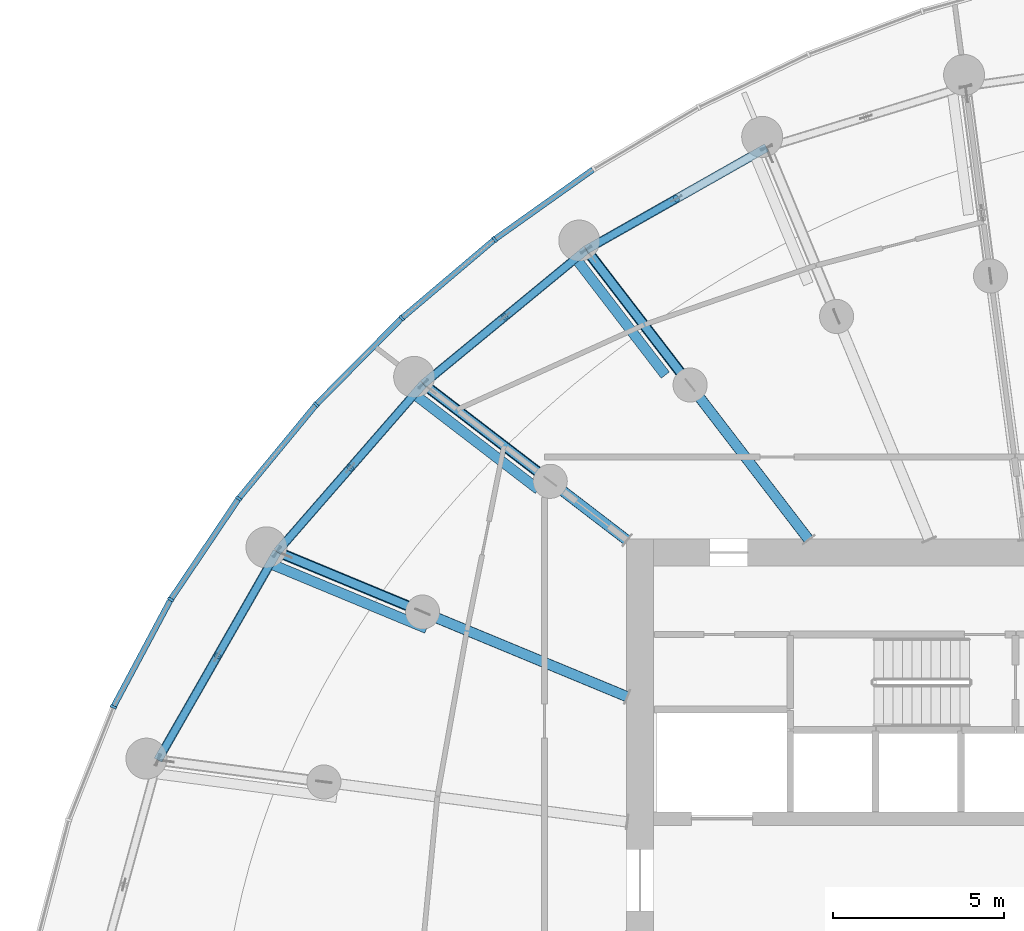
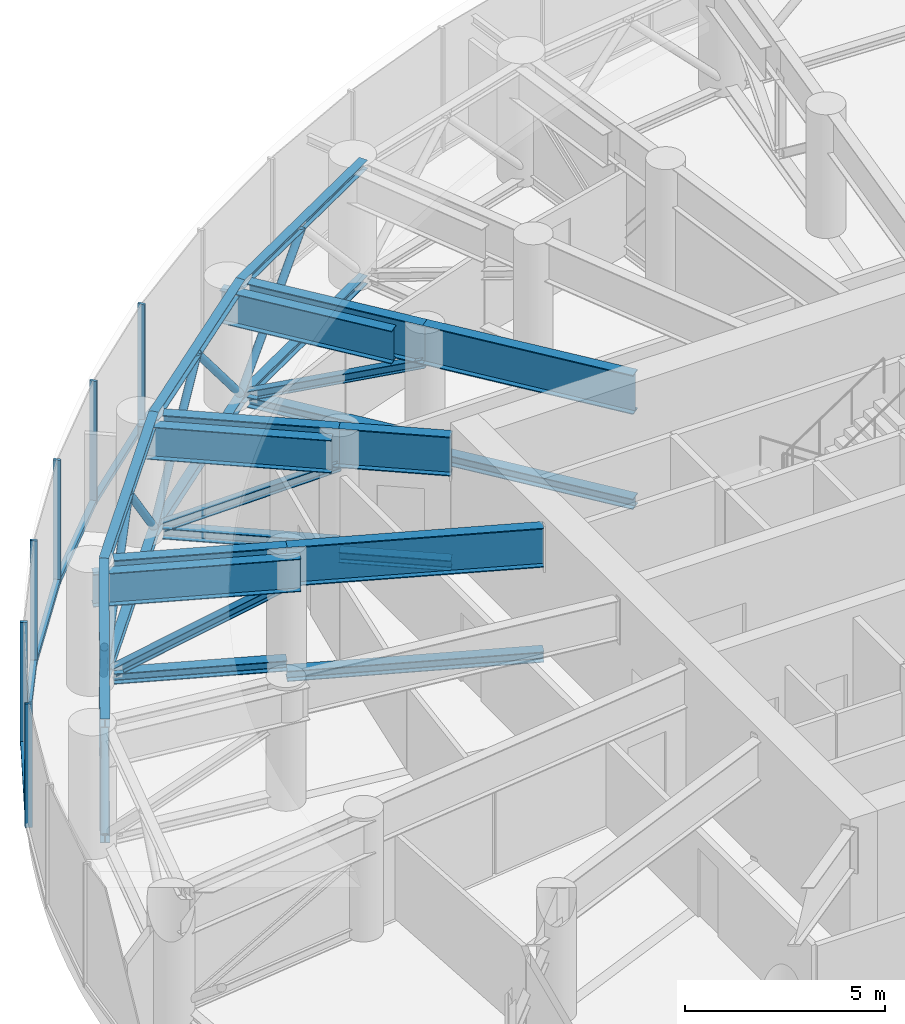
# One storey, part 8 of 33: 36 members, 9 beams, 2 elements without a shape of their own.
"""IFC4 building model written with IfcOpenShell, lengths in metres."""

from ifc_helpers import new_model, si_unit, direction, frame, origin, origin_2d, place, context, subcontext, project, spatial, rectangle, hollow_circle, i_section, extrude, source, transform, mapped, material, layer, layer_set, material_profile, profile_set, type_object, element, aggregate, save


model = new_model("IFC4")

# Units and contexts
model_context = context("Model", 3, precision=1e-05, world=origin(), true_north=direction((0.0, 1.0)))
body_context = subcontext(model_context, "Body", "Model", "MODEL_VIEW")
ifc_project = project(units=[si_unit("LENGTHUNIT", "METRE"), si_unit("AREAUNIT", "SQUARE_METRE"), si_unit("VOLUMEUNIT", "CUBIC_METRE"), si_unit("PLANEANGLEUNIT", "RADIAN"), si_unit("MASSUNIT", "GRAM", prefix="KILO")], contexts=[model_context])

# Site, building, storey
site_placement = place(None, origin())
site = spatial("IfcSite", under=ifc_project, at=site_placement, CompositionType="ELEMENT")
building_placement = place(site_placement, origin())
building = spatial("IfcBuilding", under=site, at=building_placement, Name="Spindrift Exchange Tower", CompositionType="ELEMENT")
storey_placement = place(building_placement, frame((0.0, 0.0, 129.0)))
storey = spatial("IfcBuildingStorey", under=building, at=storey_placement, Name="L30", CompositionType="ELEMENT", Elevation=129.0)

# Beams
ifc_material_1 = material(Name="Steel Grade 300", Category="steel")
ifc_material_profile_1 = material_profile(ifc_material_1, i_section(OverallWidth=0.300048828125, OverallDepth=1.199951171875, WebThickness=0.011962890625, FlangeThickness=0.028076171875, at=origin_2d()), Name="1200WB249")
ifc_profile_set_1 = profile_set([ifc_material_profile_1], Name="Steel Grade 300")
beam_type_1 = type_object("IfcBeamType", Name="Outrigger Truss Transfer Girder 1200WB249 Steel Grade 300", PredefinedType="BEAM", material=ifc_profile_set_1)
shared_shape_1 = source(origin(), body_context, "Body", "SweptSolid", [
    extrude(i_section(OverallWidth=0.300048828125, OverallDepth=1.199951171875, WebThickness=0.011962890625, FlangeThickness=0.028076171875, at=origin_2d()), origin(), (0.0, 0.0, 1.0), 5.70458984375),
])
beam_1_placement = place(storey_placement, frame((44.3388671875, 57.984130859375, 3.179931640625), z_axis=(-0.608742365615, 0.793367967784, 0.0), x_axis=(-0.793367967784, -0.608742365615, 0.0)))
element("IfcBeam", 1, at=beam_1_placement, inside=storey, type_object=beam_type_1, Name="L30 outrigger truss 09 top chord 1", PredefinedType="BEAM", context=body_context, shape_type="MappedRepresentation", body=[
    mapped(shared_shape_1, transform((0.0, 0.0, 0.0), scale=1.0)),
])
shared_shape_2 = source(origin(), body_context, "Body", "SweptSolid", [
    extrude(i_section(OverallWidth=0.300048828125, OverallDepth=1.199951171875, WebThickness=0.011962890625, FlangeThickness=0.028076171875, at=origin_2d()), origin(), (0.0, 0.0, 1.0), 2.833740234375),
])
beam_2_placement = place(storey_placement, frame((39.015869140625, 57.963134765625, 3.179931640625), z_axis=(-0.793366414634, 0.608744389815, 0.0), x_axis=(-0.608744389815, -0.793366414634, 0.0)))
element("IfcBeam", 2, at=beam_2_placement, inside=storey, type_object=beam_type_1, Name="L30 outrigger truss 10 top chord 1", PredefinedType="BEAM", context=body_context, shape_type="MappedRepresentation", body=[
    mapped(shared_shape_2, transform((0.0, 0.0, 0.0), scale=1.0)),
])
shared_shape_3 = source(origin(), body_context, "Body", "SweptSolid", [
    extrude(i_section(OverallWidth=0.300048828125, OverallDepth=1.199951171875, WebThickness=0.011962890625, FlangeThickness=0.028076171875, at=origin_2d()), origin(), (0.0, 0.0, 1.0), 6.484619140625),
])
beam_3_placement = place(storey_placement, frame((39.0185546875, 53.377197265625, 3.179931640625), z_axis=(-0.923884678616, 0.382671008332, 0.0), x_axis=(-0.382671008332, -0.923884678616, 0.0)))
element("IfcBeam", 3, at=beam_3_placement, inside=storey, type_object=beam_type_1, Name="L30 outrigger truss 11 top chord 1", PredefinedType="BEAM", context=body_context, shape_type="MappedRepresentation", body=[
    mapped(shared_shape_3, transform((0.0, 0.0, 0.0), scale=1.0)),
])

# Member
ifc_material_profile_2 = material_profile(ifc_material_1, i_section(OverallWidth=0.30908203125, OverallDepth=0.321044921875, WebThickness=0.013916015625, FlangeThickness=0.021728515625, FilletRadius=0.0166015625, at=origin_2d()), Name="310UC137")
ifc_profile_set_2 = profile_set([ifc_material_profile_2], Name="Steel Grade 300")
member_type_1 = type_object("IfcMemberType", Name="Outrigger Truss Chord 310UC137 Steel Grade 300", PredefinedType="CHORD", material=ifc_profile_set_2)
shared_shape_4 = source(origin(), body_context, "Body", "SweptSolid", [
    extrude(i_section(OverallWidth=0.30908203125, OverallDepth=0.321044921875, WebThickness=0.013916015625, FlangeThickness=0.021728515625, FilletRadius=0.0166015625, at=origin_2d()), origin(), (0.0, 0.0, 1.0), 5.70458984375),
])
member_1_placement = place(storey_placement, frame((44.3388671875, 57.984130859375, -0.160400390625), z_axis=(-0.608742365615, 0.793367967784, 0.0), x_axis=(-0.793367967784, -0.608742365615, 0.0)))
element("IfcMember", 4, at=member_1_placement, inside=storey, type_object=member_type_1, Name="L30 outrigger truss 09 bottom chord 1", PredefinedType="CHORD", context=body_context, shape_type="MappedRepresentation", body=[
    mapped(shared_shape_4, transform((0.0, 0.0, 0.0), scale=1.0)),
])

# Beam
shared_shape_5 = source(origin(), body_context, "Body", "SweptSolid", [
    extrude(i_section(OverallWidth=0.300048828125, OverallDepth=1.199951171875, WebThickness=0.011962890625, FlangeThickness=0.028076171875, at=origin_2d()), origin(), (0.0, 0.0, 1.0), 4.755615234375),
])
beam_4_placement = place(storey_placement, frame((40.8662109375, 62.510009765625, 3.179931640625), z_axis=(-0.608752663646, 0.793360066114, 0.0), x_axis=(-0.793360066114, -0.608752663646, 0.0)))
element("IfcBeam", 5, at=beam_4_placement, inside=storey, type_object=beam_type_1, Name="L30 outrigger truss 09 top chord 2", PredefinedType="BEAM", context=body_context, shape_type="MappedRepresentation", body=[
    mapped(shared_shape_5, transform((0.0, 0.0, 0.0), scale=1.0)),
])

# Members
shared_shape_6 = source(origin(), body_context, "Body", "SweptSolid", [
    extrude(i_section(OverallWidth=0.30908203125, OverallDepth=0.321044921875, WebThickness=0.013916015625, FlangeThickness=0.021728515625, FilletRadius=0.0166015625, at=origin_2d()), origin(), (0.0, 0.0, 1.0), 4.755615234375),
])
member_2_placement = place(storey_placement, frame((40.8662109375, 62.510009765625, 0.160400390625), z_axis=(-0.608752663646, 0.793360066114, 0.0), x_axis=(-0.793360066114, -0.608752663646, 0.0)))
element("IfcMember", 6, at=member_2_placement, inside=storey, type_object=member_type_1, Name="L30 outrigger truss 09 bottom chord 2", PredefinedType="CHORD", context=body_context, shape_type="MappedRepresentation", body=[
    mapped(shared_shape_6, transform((0.0, 0.0, 0.0), scale=1.0)),
])
ifc_material_profile_3 = material_profile(ifc_material_1, i_section(OverallWidth=0.25390625, OverallDepth=0.25390625, WebThickness=0.008544921875, FlangeThickness=0.01416015625, FilletRadius=0.011962890625, at=origin_2d()), Name="250UC72.9")
ifc_profile_set_3 = profile_set([ifc_material_profile_3], Name="Steel Grade 300")
member_type_2 = type_object("IfcMemberType", Name="Outrigger Truss Diagonal 250UC72.9 Steel Grade 300", PredefinedType="BRACE", material=ifc_profile_set_3)
shared_shape_7 = source(origin(), body_context, "Body", "SweptSolid", [
    extrude(i_section(OverallWidth=0.25390625, OverallDepth=0.25390625, WebThickness=0.008544921875, FlangeThickness=0.01416015625, FilletRadius=0.011962890625, at=origin_2d()), origin(), (0.0, 0.0, 1.0), 5.264892578125),
])
member_3_placement = place(storey_placement, frame((40.8662109375, 62.510009765625, 2.580078125), z_axis=(-0.549868302377, 0.716618716895, -0.429071631126), x_axis=(-0.793360066114, -0.608752663646, 0.0)))
element("IfcMember", 7, at=member_3_placement, inside=storey, type_object=member_type_2, Name="L30 outrigger truss 09 diagonal 2", PredefinedType="BRACE", context=body_context, shape_type="MappedRepresentation", body=[
    mapped(shared_shape_7, transform((0.0, 0.0, 0.0), scale=1.0)),
])
shared_shape_8 = source(origin(), body_context, "Body", "SweptSolid", [
    extrude(i_section(OverallWidth=0.30908203125, OverallDepth=0.321044921875, WebThickness=0.013916015625, FlangeThickness=0.021728515625, FilletRadius=0.0166015625, at=origin_2d()), origin(), (0.0, 0.0, 1.0), 2.833740234375),
])
member_4_placement = place(storey_placement, frame((39.015869140625, 57.963134765625, -0.160400390625), z_axis=(-0.793366414634, 0.608744389815, 0.0), x_axis=(-0.608744389815, -0.793366414634, 0.0)))
element("IfcMember", 8, at=member_4_placement, inside=storey, type_object=member_type_1, Name="L30 outrigger truss 10 bottom chord 1", PredefinedType="CHORD", context=body_context, shape_type="MappedRepresentation", body=[
    mapped(shared_shape_8, transform((0.0, 0.0, 0.0), scale=1.0)),
])

# Beam
shared_shape_9 = source(origin(), body_context, "Body", "SweptSolid", [
    extrude(i_section(OverallWidth=0.300048828125, OverallDepth=1.199951171875, WebThickness=0.011962890625, FlangeThickness=0.028076171875, at=origin_2d()), origin(), (0.0, 0.0, 1.0), 4.446044921875),
])
beam_5_placement = place(storey_placement, frame((36.767578125, 59.688232421875, 3.179931640625), z_axis=(-0.793362365638, 0.608749666768, 0.0), x_axis=(-0.608749666768, -0.793362365638, 0.0)))
element("IfcBeam", 9, at=beam_5_placement, inside=storey, type_object=beam_type_1, Name="L30 outrigger truss 10 top chord 2", PredefinedType="BEAM", context=body_context, shape_type="MappedRepresentation", body=[
    mapped(shared_shape_9, transform((0.0, 0.0, 0.0), scale=1.0)),
])

# Members
shared_shape_10 = source(origin(), body_context, "Body", "SweptSolid", [
    extrude(i_section(OverallWidth=0.30908203125, OverallDepth=0.321044921875, WebThickness=0.013916015625, FlangeThickness=0.021728515625, FilletRadius=0.0166015625, at=origin_2d()), origin(), (0.0, 0.0, 1.0), 4.446044921875),
])
member_5_placement = place(storey_placement, frame((36.767578125, 59.688232421875, 0.160400390625), z_axis=(-0.793362365638, 0.608749666768, 0.0), x_axis=(-0.608749666768, -0.793362365638, 0.0)))
element("IfcMember", 10, at=member_5_placement, inside=storey, type_object=member_type_1, Name="L30 outrigger truss 10 bottom chord 2", PredefinedType="CHORD", context=body_context, shape_type="MappedRepresentation", body=[
    mapped(shared_shape_10, transform((0.0, 0.0, 0.0), scale=1.0)),
])
shared_shape_11 = source(origin(), body_context, "Body", "SweptSolid", [
    extrude(i_section(OverallWidth=0.25390625, OverallDepth=0.25390625, WebThickness=0.008544921875, FlangeThickness=0.01416015625, FilletRadius=0.011962890625, at=origin_2d()), origin(), (0.0, 0.0, 1.0), 4.987060546875),
])
member_6_placement = place(storey_placement, frame((36.767578125, 59.688232421875, 2.580078125), z_axis=(-0.707299349333, 0.542713218903, -0.452979019891), x_axis=(-0.608749666768, -0.793362365638, 0.0)))
element("IfcMember", 11, at=member_6_placement, inside=storey, type_object=member_type_2, Name="L30 outrigger truss 10 diagonal 2", PredefinedType="BRACE", context=body_context, shape_type="MappedRepresentation", body=[
    mapped(shared_shape_11, transform((0.0, 0.0, 0.0), scale=1.0)),
])
shared_shape_12 = source(origin(), body_context, "Body", "SweptSolid", [
    extrude(i_section(OverallWidth=0.30908203125, OverallDepth=0.321044921875, WebThickness=0.013916015625, FlangeThickness=0.021728515625, FilletRadius=0.0166015625, at=origin_2d()), origin(), (0.0, 0.0, 1.0), 6.484619140625),
])
member_7_placement = place(storey_placement, frame((39.0185546875, 53.377197265625, -0.160400390625), z_axis=(-0.923884678616, 0.382671008332, 0.0), x_axis=(-0.382671008332, -0.923884678616, 0.0)))
element("IfcMember", 12, at=member_7_placement, inside=storey, type_object=member_type_1, Name="L30 outrigger truss 11 bottom chord 1", PredefinedType="CHORD", context=body_context, shape_type="MappedRepresentation", body=[
    mapped(shared_shape_12, transform((0.0, 0.0, 0.0), scale=1.0)),
])

# Beam
shared_shape_13 = source(origin(), body_context, "Body", "SweptSolid", [
    extrude(i_section(OverallWidth=0.300048828125, OverallDepth=1.199951171875, WebThickness=0.011962890625, FlangeThickness=0.028076171875, at=origin_2d()), origin(), (0.0, 0.0, 1.0), 4.372314453125),
])
beam_6_placement = place(storey_placement, frame((33.027587890625, 55.858642578125, 3.179931640625), z_axis=(-0.923871193671, 0.382703563485, 0.0), x_axis=(-0.382703563485, -0.923871193671, 0.0)))
element("IfcBeam", 13, at=beam_6_placement, inside=storey, type_object=beam_type_1, Name="L30 outrigger truss 11 top chord 2", PredefinedType="BEAM", context=body_context, shape_type="MappedRepresentation", body=[
    mapped(shared_shape_13, transform((0.0, 0.0, 0.0), scale=1.0)),
])

# Members
shared_shape_14 = source(origin(), body_context, "Body", "SweptSolid", [
    extrude(i_section(OverallWidth=0.30908203125, OverallDepth=0.321044921875, WebThickness=0.013916015625, FlangeThickness=0.021728515625, FilletRadius=0.0166015625, at=origin_2d()), origin(), (0.0, 0.0, 1.0), 4.372314453125),
])
member_8_placement = place(storey_placement, frame((33.027587890625, 55.858642578125, 0.160400390625), z_axis=(-0.923871193671, 0.382703563485, 0.0), x_axis=(-0.382703563485, -0.923871193671, 0.0)))
element("IfcMember", 14, at=member_8_placement, inside=storey, type_object=member_type_1, Name="L30 outrigger truss 11 bottom chord 2", PredefinedType="CHORD", context=body_context, shape_type="MappedRepresentation", body=[
    mapped(shared_shape_14, transform((0.0, 0.0, 0.0), scale=1.0)),
])
shared_shape_15 = source(origin(), body_context, "Body", "SweptSolid", [
    extrude(i_section(OverallWidth=0.25390625, OverallDepth=0.25390625, WebThickness=0.008544921875, FlangeThickness=0.01416015625, FilletRadius=0.011962890625, at=origin_2d()), origin(), (0.0, 0.0, 1.0), 4.921630859375),
])
member_9_placement = place(storey_placement, frame((33.027587890625, 55.858642578125, 2.580078125), z_axis=(-0.820794876143, 0.340005323406, -0.459012147283), x_axis=(-0.382703563485, -0.923871193671, 0.0)))
element("IfcMember", 15, at=member_9_placement, inside=storey, type_object=member_type_2, Name="L30 outrigger truss 11 diagonal 2", PredefinedType="BRACE", context=body_context, shape_type="MappedRepresentation", body=[
    mapped(shared_shape_15, transform((0.0, 0.0, 0.0), scale=1.0)),
])
ifc_material_profile_4 = material_profile(ifc_material_1, i_section(OverallWidth=0.25390625, OverallDepth=0.25390625, WebThickness=0.008544921875, FlangeThickness=0.01416015625, FilletRadius=0.011962890625, at=origin_2d()), Name="250UC72.9")
ifc_profile_set_4 = profile_set([ifc_material_profile_4], Name="Steel Grade 300")
member_type_3 = type_object("IfcMemberType", Name="Belt Truss Chord 250UC72.9 Steel Grade 300", PredefinedType="CHORD", material=ifc_profile_set_4)
shared_shape_16 = source(origin(), body_context, "Body", "SweptSolid", [
    extrude(i_section(OverallWidth=0.25390625, OverallDepth=0.25390625, WebThickness=0.008544921875, FlangeThickness=0.01416015625, FilletRadius=0.011962890625, at=origin_2d()), origin(), (0.0, 0.0, 1.0), 6.072265625),
])
for number, where, z_axis, x_axis, name in (
    (16, (43.1083984375, 69.46630859375, 3.653076171875), (-0.870095182591, -0.492883731962, 0.0), (0.492883731962, -0.870095182591, 0.0), "L30 belt truss 08 top chord"),
    (17, (43.1083984375, 69.46630859375, 0.126953125), (-0.870095182591, -0.492883731962, 0.0), (0.492883731962, -0.870095182591, 0.0), "L30 belt truss 08 bottom chord"),
):
    element("IfcMember", number, at=place(storey_placement, frame(where, z_axis=z_axis, x_axis=x_axis)), inside=storey, type_object=member_type_3, Name=name, PredefinedType="CHORD", context=body_context, shape_type="MappedRepresentation", body=[
        mapped(shared_shape_16, transform((0.0, 0.0, 0.0), scale=1.0)),
    ])
ifc_material_2 = material(Name="Steel Grade 350", Category="steel")
ifc_material_profile_5 = material_profile(ifc_material_2, hollow_circle(Radius=0.109619140625, WallThickness=0.006103515625, at=origin_2d()), Name="219.1x6.0CHS")
ifc_profile_set_5 = profile_set([ifc_material_profile_5], Name="Steel Grade 350")
member_type_4 = type_object("IfcMemberType", Name="Belt Truss Diagonal 219.1x6.0CHS Steel Grade 350", PredefinedType="BRACE", material=ifc_profile_set_5)
shared_shape_17 = source(origin(), body_context, "Body", "SweptSolid", [
    extrude(hollow_circle(Radius=0.109619140625, WallThickness=0.006103515625, at=origin_2d()), origin(), (0.0, 0.0, 1.0), 4.463623046875),
])
member_10_placement = place(storey_placement, frame((40.466552734375, 67.9697265625, 3.52587890625), z_axis=(-0.591822038804, -0.335238195548, -0.733049811835), x_axis=(0.492870535219, -0.870102658031, 0.0)))
element("IfcMember", 18, at=member_10_placement, inside=storey, type_object=member_type_4, Name="L30 belt truss 08 diagonal 2", PredefinedType="BRACE", context=body_context, shape_type="MappedRepresentation", body=[
    mapped(shared_shape_17, transform((0.0, 0.0, 0.0), scale=1.0)),
])
shared_shape_18 = source(origin(), body_context, "Body", "SweptSolid", [
    extrude(i_section(OverallWidth=0.25390625, OverallDepth=0.25390625, WebThickness=0.008544921875, FlangeThickness=0.01416015625, FilletRadius=0.011962890625, at=origin_2d()), origin(), (0.0, 0.0, 1.0), 6.18603515625),
])
for number, where, z_axis, x_axis, name in (
    (19, (37.824951171875, 66.473388671875, 3.653076171875), (-0.771938210364, -0.635697569116, 0.0), (0.635697569116, -0.771938210364, 0.0), "L30 belt truss 09 top chord"),
    (20, (37.824951171875, 66.473388671875, 0.126953125), (-0.771938210364, -0.635697569116, 0.0), (0.635697569116, -0.771938210364, 0.0), "L30 belt truss 09 bottom chord"),
):
    element("IfcMember", number, at=place(storey_placement, frame(where, z_axis=z_axis, x_axis=x_axis)), inside=storey, type_object=member_type_3, Name=name, PredefinedType="CHORD", context=body_context, shape_type="MappedRepresentation", body=[
        mapped(shared_shape_18, transform((0.0, 0.0, 0.0), scale=1.0)),
    ])
shared_shape_19 = source(origin(), body_context, "Body", "SweptSolid", [
    extrude(hollow_circle(Radius=0.109619140625, WallThickness=0.006103515625, at=origin_2d()), origin(), (0.0, 0.0, 1.0), 4.50244140625),
])
for number, where, z_axis, x_axis, name in (
    (21, (37.824951171875, 66.473388671875, 0.25390625), (-0.530255465273, -0.436719247092, 0.726708635402), (0.635740453693, -0.771902892558, 0.0), "L30 belt truss 09 diagonal 1"),
    (22, (35.4375, 64.507080078125, 3.52587890625), (-0.530306997952, -0.43666280721, -0.726704947501), (0.635654683038, -0.771973525408, 0.0), "L30 belt truss 09 diagonal 2"),
):
    element("IfcMember", number, at=place(storey_placement, frame(where, z_axis=z_axis, x_axis=x_axis)), inside=storey, type_object=member_type_4, Name=name, PredefinedType="BRACE", context=body_context, shape_type="MappedRepresentation", body=[
        mapped(shared_shape_19, transform((0.0, 0.0, 0.0), scale=1.0)),
    ])
shared_shape_20 = source(origin(), body_context, "Body", "SweptSolid", [
    extrude(i_section(OverallWidth=0.25390625, OverallDepth=0.25390625, WebThickness=0.008544921875, FlangeThickness=0.01416015625, FilletRadius=0.011962890625, at=origin_2d()), origin(), (0.0, 0.0, 1.0), 6.521240234375),
])
for number, where, z_axis, x_axis, name in (
    (23, (33.0498046875, 62.541015625, 3.653076171875), (-0.656841174374, -0.754028959422, 0.0), (0.754028959422, -0.656841174374, 0.0), "L30 belt truss 10 top chord"),
    (24, (33.0498046875, 62.541015625, 0.126953125), (-0.656841174374, -0.754028959422, 0.0), (0.754028959422, -0.656841174374, 0.0), "L30 belt truss 10 bottom chord"),
):
    element("IfcMember", number, at=place(storey_placement, frame(where, z_axis=z_axis, x_axis=x_axis)), inside=storey, type_object=member_type_3, Name=name, PredefinedType="CHORD", context=body_context, shape_type="MappedRepresentation", body=[
        mapped(shared_shape_20, transform((0.0, 0.0, 0.0), scale=1.0)),
    ])
shared_shape_21 = source(origin(), body_context, "Body", "SweptSolid", [
    extrude(hollow_circle(Radius=0.109619140625, WallThickness=0.006103515625, at=origin_2d()), origin(), (0.0, 0.0, 1.0), 4.619384765625),
])
member_11_placement = place(storey_placement, frame((33.0498046875, 62.541015625, 0.25390625), z_axis=(-0.46362326394, -0.532278829359, 0.708330937451), x_axis=(0.754063652247, -0.656801346193, 0.0)))
element("IfcMember", 25, at=member_11_placement, inside=storey, type_object=member_type_4, Name="L30 belt truss 10 diagonal 1", PredefinedType="BRACE", context=body_context, shape_type="MappedRepresentation", body=[
    mapped(shared_shape_21, transform((0.0, 0.0, 0.0), scale=1.0)),
])
shared_shape_22 = source(origin(), body_context, "Body", "SweptSolid", [
    extrude(hollow_circle(Radius=0.109619140625, WallThickness=0.006103515625, at=origin_2d()), origin(), (0.0, 0.0, 1.0), 4.619140625),
])
member_12_placement = place(storey_placement, frame((30.908203125, 60.082275390625, 3.52587890625), z_axis=(-0.463677797791, -0.532227906503, -0.708333505755), x_axis=(0.753994264242, -0.656881001012, 0.0)))
element("IfcMember", 26, at=member_12_placement, inside=storey, type_object=member_type_4, Name="L30 belt truss 10 diagonal 2", PredefinedType="BRACE", context=body_context, shape_type="MappedRepresentation", body=[
    mapped(shared_shape_22, transform((0.0, 0.0, 0.0), scale=1.0)),
])
shared_shape_23 = source(origin(), body_context, "Body", "SweptSolid", [
    extrude(i_section(OverallWidth=0.25390625, OverallDepth=0.25390625, WebThickness=0.008544921875, FlangeThickness=0.01416015625, FilletRadius=0.011962890625, at=origin_2d()), origin(), (0.0, 0.0, 1.0), 7.033935546875),
])
for number, where, z_axis, x_axis, name in (
    (27, (28.766357421875, 57.623779296875, 3.653076171875), (-0.49668457129, -0.867931124366, 0.0), (0.867931124366, -0.49668457129, 0.0), "L30 belt truss 11 top chord"),
    (28, (28.766357421875, 57.623779296875, 0.126953125), (-0.49668457129, -0.867931124366, 0.0), (0.867931124366, -0.49668457129, 0.0), "L30 belt truss 11 bottom chord"),
):
    element("IfcMember", number, at=place(storey_placement, frame(where, z_axis=z_axis, x_axis=x_axis)), inside=storey, type_object=member_type_3, Name=name, PredefinedType="CHORD", context=body_context, shape_type="MappedRepresentation", body=[
        mapped(shared_shape_23, transform((0.0, 0.0, 0.0), scale=1.0)),
    ])
shared_shape_24 = source(origin(), body_context, "Body", "SweptSolid", [
    extrude(hollow_circle(Radius=0.109619140625, WallThickness=0.006103515625, at=origin_2d()), origin(), (0.0, 0.0, 1.0), 4.8037109375),
])
for number, where, z_axis, x_axis, name in (
    (29, (28.766357421875, 57.623779296875, 0.25390625), (-0.363646778552, -0.635454321765, 0.681145230769), (0.867931124366, -0.49668457129, 0.0), "L30 belt truss 11 diagonal 1"),
    (30, (27.01953125, 54.5712890625, 3.52587890625), (-0.363646778552, -0.635454321765, -0.681145230769), (0.867931124366, -0.49668457129, 0.0), "L30 belt truss 11 diagonal 2"),
):
    element("IfcMember", number, at=place(storey_placement, frame(where, z_axis=z_axis, x_axis=x_axis)), inside=storey, type_object=member_type_4, Name=name, PredefinedType="BRACE", context=body_context, shape_type="MappedRepresentation", body=[
        mapped(shared_shape_24, transform((0.0, 0.0, 0.0), scale=1.0)),
    ])

# Beams
ifc_material_profile_6 = material_profile(ifc_material_1, i_section(OverallWidth=0.300048828125, OverallDepth=1.0, WebThickness=0.010009765625, FlangeThickness=0.02001953125, at=origin_2d()), Name="1000WB215")
ifc_profile_set_6 = profile_set([ifc_material_profile_6], Name="Steel Grade 300")
beam_type_2 = type_object("IfcBeamType", Name="Transfer Tie Beam 1000WB215 Steel Grade 300", PredefinedType="BEAM", material=ifc_profile_set_6)
shared_shape_25 = source(origin(), body_context, "Body", "SweptSolid", [
    extrude(i_section(OverallWidth=0.300048828125, OverallDepth=1.0, WebThickness=0.010009765625, FlangeThickness=0.02001953125, at=origin_2d()), origin(), (0.0, 0.0, 1.0), 4.662109375),
])
beam_7_placement = place(storey_placement, frame((37.30078125, 66.49951171875, 3.179931640625), z_axis=(0.608761301523, -0.793353438114, 0.0), x_axis=(0.793353438114, 0.608761301523, 0.0)))
element("IfcBeam", 31, at=beam_7_placement, inside=storey, type_object=beam_type_2, Name="L30 transfer tie beam K09", PredefinedType="BEAM", context=body_context, shape_type="MappedRepresentation", body=[
    mapped(shared_shape_25, transform((0.0, 0.0, 0.0), scale=1.0)),
])
shared_shape_26 = source(origin(), body_context, "Body", "SweptSolid", [
    extrude(i_section(OverallWidth=0.300048828125, OverallDepth=1.0, WebThickness=0.010009765625, FlangeThickness=0.02001953125, at=origin_2d()), origin(), (0.0, 0.0, 1.0), 4.89501953125),
])
beam_8_placement = place(storey_placement, frame((32.53662109375, 62.4306640625, 3.179931640625), z_axis=(0.793350218497, -0.608765497389, 0.0), x_axis=(0.608765497389, 0.793350218497, 0.0)))
element("IfcBeam", 32, at=beam_8_placement, inside=storey, type_object=beam_type_2, Name="L30 transfer tie beam K10", PredefinedType="BEAM", context=body_context, shape_type="MappedRepresentation", body=[
    mapped(shared_shape_26, transform((0.0, 0.0, 0.0), scale=1.0)),
])
shared_shape_27 = source(origin(), body_context, "Body", "SweptSolid", [
    extrude(i_section(OverallWidth=0.300048828125, OverallDepth=1.0, WebThickness=0.010009765625, FlangeThickness=0.02001953125, at=origin_2d()), origin(), (0.0, 0.0, 1.0), 5.248046875),
])
beam_9_placement = place(storey_placement, frame((28.299072265625, 57.38427734375, 3.179931640625), z_axis=(0.923884159857, -0.382672260774, 0.0), x_axis=(0.382672260774, 0.923884159857, 0.0)))
element("IfcBeam", 33, at=beam_9_placement, inside=storey, type_object=beam_type_2, Name="L30 transfer tie beam K11", PredefinedType="BEAM", context=body_context, shape_type="MappedRepresentation", body=[
    mapped(shared_shape_27, transform((0.0, 0.0, 0.0), scale=1.0)),
])

# Curtain wall, members
ifc_material_3 = material(Name="Fritted laminated glass with bronze frame", Category="glass")
ifc_layer = layer(ifc_material_3, 0.18994140625)
ifc_layer_set = layer_set([ifc_layer], Name="ZONE 2 BRONZE FRITTED WALL")
curtain_wall_type = type_object("IfcCurtainWallType", Name="ZONE 2 BRONZE FRITTED WALL", PredefinedType="NOTDEFINED", material=ifc_layer_set)
curtain_wall_1_placement = place(storey_placement, origin())
curtain_wall_1 = element("IfcCurtainWall", 34, at=curtain_wall_1_placement, inside=storey, type_object=curtain_wall_type, Name="L30 Zone 2 Bronze Fritted Wall run 3", PredefinedType="NOTDEFINED")
ifc_material_4 = material(Name="Bronze anodised aluminium", Category="aluminium")
ifc_material_profile_7 = material_profile(ifc_material_4, rectangle(XDim=0.169921875, YDim=0.139892578125, at=origin_2d()), Name="ZONE 2 BRONZE FRITTED WALL TRANSOM 170X140")
ifc_profile_set_7 = profile_set([ifc_material_profile_7], Name="Bronze anodised aluminium")
member_type_5 = type_object("IfcMemberType", Name="ZONE 2 BRONZE FRITTED WALL TRANSOM 170X140", PredefinedType="USERDEFINED", material=ifc_profile_set_7)
shared_shape_28 = source(origin(), body_context, "Body", "SweptSolid", [
    extrude(rectangle(XDim=0.169921875, YDim=0.139892578125, at=origin_2d()), origin(), (0.0, 0.0, 1.0), 3.4912109375),
])
member_13_placement = place(storey_placement, frame((29.88427734375, 61.90673828125, 0.070068359375), z_axis=(-0.635937630982, -0.771740454752, 0.0), x_axis=(0.771740454752, -0.635937630982, 0.0)))
member_13 = element("IfcMember", 35, at=member_13_placement, type_object=member_type_5, Name="L30 transom CW-2.17", ObjectType="TRANSOM", PredefinedType="USERDEFINED", context=body_context, shape_type="MappedRepresentation", body=[
    mapped(shared_shape_28, transform((0.0, 0.0, 0.0), scale=1.0)),
])
shared_shape_29 = source(origin(), body_context, "Body", "SweptSolid", [
    extrude(rectangle(XDim=0.169921875, YDim=0.139892578125, at=origin_2d()), origin(), (0.0, 0.0, 1.0), 3.49169921875),
])
member_14_placement = place(storey_placement, frame((38.015625, 68.81982421875, 0.070068359375), z_axis=(-0.815214289659, -0.579159444313, 0.0), x_axis=(0.579159444313, -0.815214289659, 0.0)))
member_14 = element("IfcMember", 36, at=member_14_placement, type_object=member_type_5, Name="L30 transom CW-2.14", ObjectType="TRANSOM", PredefinedType="USERDEFINED", context=body_context, shape_type="MappedRepresentation", body=[
    mapped(shared_shape_29, transform((0.0, 0.0, 0.0), scale=1.0)),
])
member_15_placement = place(storey_placement, frame((35.110107421875, 66.751708984375, 0.070068359375), z_axis=(-0.762980350555, -0.646421677133, 0.0), x_axis=(0.646421677133, -0.762980350555, 0.0)))
member_15 = element("IfcMember", 37, at=member_15_placement, type_object=member_type_5, Name="L30 transom CW-2.15", ObjectType="TRANSOM", PredefinedType="USERDEFINED", context=body_context, shape_type="MappedRepresentation", body=[
    mapped(shared_shape_29, transform((0.0, 0.0, 0.0), scale=1.0)),
])
shared_shape_30 = source(origin(), body_context, "Body", "SweptSolid", [
    extrude(rectangle(XDim=0.169921875, YDim=0.139892578125, at=origin_2d()), origin(), (0.0, 0.0, 1.0), 3.491455078125),
])
member_16_placement = place(storey_placement, frame((32.39111328125, 64.443603515625, 0.070068359375), z_axis=(-0.70356684473, -0.710629083979, 0.0), x_axis=(0.710629083979, -0.70356684473, 0.0)))
member_16 = element("IfcMember", 38, at=member_16_placement, type_object=member_type_5, Name="L30 transom CW-2.16", ObjectType="TRANSOM", PredefinedType="USERDEFINED", context=body_context, shape_type="MappedRepresentation", body=[
    mapped(shared_shape_30, transform((0.0, 0.0, 0.0), scale=1.0)),
])
member_17_placement = place(storey_placement, frame((27.619140625, 59.15234375, 0.070068359375), z_axis=(-0.558856598216, -0.829264314094, 0.0), x_axis=(0.829264314094, -0.558856598216, 0.0)))
member_17 = element("IfcMember", 39, at=member_17_placement, type_object=member_type_5, Name="L30 transom CW-2.18", ObjectType="TRANSOM", PredefinedType="USERDEFINED", context=body_context, shape_type="MappedRepresentation", body=[
    mapped(shared_shape_30, transform((0.0, 0.0, 0.0), scale=1.0)),
])

# Curtain wall, member
curtain_wall_2_placement = place(storey_placement, origin())
curtain_wall_2 = element("IfcCurtainWall", 40, at=curtain_wall_2_placement, inside=storey, type_object=curtain_wall_type, Name="L30 Zone 2 Bronze Fritted Wall run 4", PredefinedType="NOTDEFINED")
shared_shape_31 = source(origin(), body_context, "Body", "SweptSolid", [
    extrude(rectangle(XDim=0.169921875, YDim=0.139892578125, at=origin_2d()), origin(), (0.0, 0.0, 1.0), 3.490966796875),
])
member_18_placement = place(storey_placement, frame((25.62939453125, 56.19287109375, 0.070068359375), z_axis=(-0.470530155843, -0.882383914428, 0.0), x_axis=(0.882383914428, -0.470530155843, 0.0)))
member_18 = element("IfcMember", 41, at=member_18_placement, type_object=member_type_5, Name="L30 transom CW-2.19", ObjectType="TRANSOM", PredefinedType="USERDEFINED", context=body_context, shape_type="MappedRepresentation", body=[
    mapped(shared_shape_31, transform((0.0, 0.0, 0.0), scale=1.0)),
])

# Member
ifc_material_profile_8 = material_profile(ifc_material_4, rectangle(XDim=0.074951171875, YDim=0.18994140625, at=origin_2d()), Name="ZONE 2 BRONZE FRITTED WALL MULLION 75X190")
ifc_profile_set_8 = profile_set([ifc_material_profile_8], Name="Bronze anodised aluminium")
member_type_6 = type_object("IfcMemberType", Name="ZONE 2 BRONZE FRITTED WALL MULLION 75X190", PredefinedType="MULLION", material=ifc_profile_set_8)
shared_shape_32 = source(origin(), body_context, "Body", "SweptSolid", [
    extrude(rectangle(XDim=0.074951171875, YDim=0.18994140625, at=origin_2d()), origin(), (0.0, 0.0, 1.0), 3.780029296875),
])
member_19_placement = place(storey_placement, frame((35.138671875, 66.77587890625, 0.0), z_axis=(0.0, 0.0, 1.0), x_axis=(-0.789804747685, -0.613358345941, 0.0)))
member_19 = element("IfcMember", 42, at=member_19_placement, type_object=member_type_6, Name="L30 mullion CW-2.15", PredefinedType="MULLION", context=body_context, shape_type="MappedRepresentation", body=[
    mapped(shared_shape_32, transform((0.0, 0.0, 0.0), scale=1.0)),
])

member_20_placement = place(storey_placement, frame((32.41748046875, 64.47021484375, 0.0), z_axis=(0.0, 0.0, 1.0), x_axis=(-0.733946406316, -0.679207385602, 0.0)))
member_20 = element("IfcMember", 43, at=member_20_placement, type_object=member_type_6, Name="L30 mullion CW-2.16", PredefinedType="MULLION", context=body_context, shape_type="MappedRepresentation", body=[
    mapped(shared_shape_32, transform((0.0, 0.0, 0.0), scale=1.0)),
])

member_21_placement = place(storey_placement, frame((29.908203125, 61.935791015625, 0.0), z_axis=(0.0, 0.0, 1.0), x_axis=(-0.670442995447, -0.741961043354, 0.0)))
member_21 = element("IfcMember", 44, at=member_21_placement, type_object=member_type_6, Name="L30 mullion CW-2.17", PredefinedType="MULLION", context=body_context, shape_type="MappedRepresentation", body=[
    mapped(shared_shape_32, transform((0.0, 0.0, 0.0), scale=1.0)),
])

member_22_placement = place(storey_placement, frame((27.64013671875, 59.183349609375, 0.0), z_axis=(0.0, 0.0, 1.0), x_axis=(-0.59810454997, -0.801418085212, 0.0)))
member_22 = element("IfcMember", 45, at=member_22_placement, type_object=member_type_6, Name="L30 mullion CW-2.18", PredefinedType="MULLION", context=body_context, shape_type="MappedRepresentation", body=[
    mapped(shared_shape_32, transform((0.0, 0.0, 0.0), scale=1.0)),
])

aggregate(curtain_wall_1, [member_14, member_19, member_15, member_20, member_16, member_21, member_13, member_22, member_17])

member_23_placement = place(storey_placement, frame((25.64697265625, 56.22607421875, 0.0), z_axis=(0.0, 0.0, 1.0), x_axis=(-0.515381327637, -0.856960960092, 0.0)))
member_23 = element("IfcMember", 46, at=member_23_placement, type_object=member_type_6, Name="L30 mullion CW-2.19", PredefinedType="MULLION", context=body_context, shape_type="MappedRepresentation", body=[
    mapped(shared_shape_32, transform((0.0, 0.0, 0.0), scale=1.0)),
])

member_24_placement = place(storey_placement, frame((23.968994140625, 53.079345703125, 0.0), z_axis=(0.0, 0.0, 1.0), x_axis=(-0.420442972632, -0.907318966386, 0.0)))
member_24 = element("IfcMember", 47, at=member_24_placement, type_object=member_type_6, Name="L30 mullion CW-2.20", PredefinedType="MULLION", context=body_context, shape_type="MappedRepresentation", body=[
    mapped(shared_shape_32, transform((0.0, 0.0, 0.0), scale=1.0)),
])

aggregate(curtain_wall_2, [member_23, member_18, member_24])

save(model, "model.ifc")
